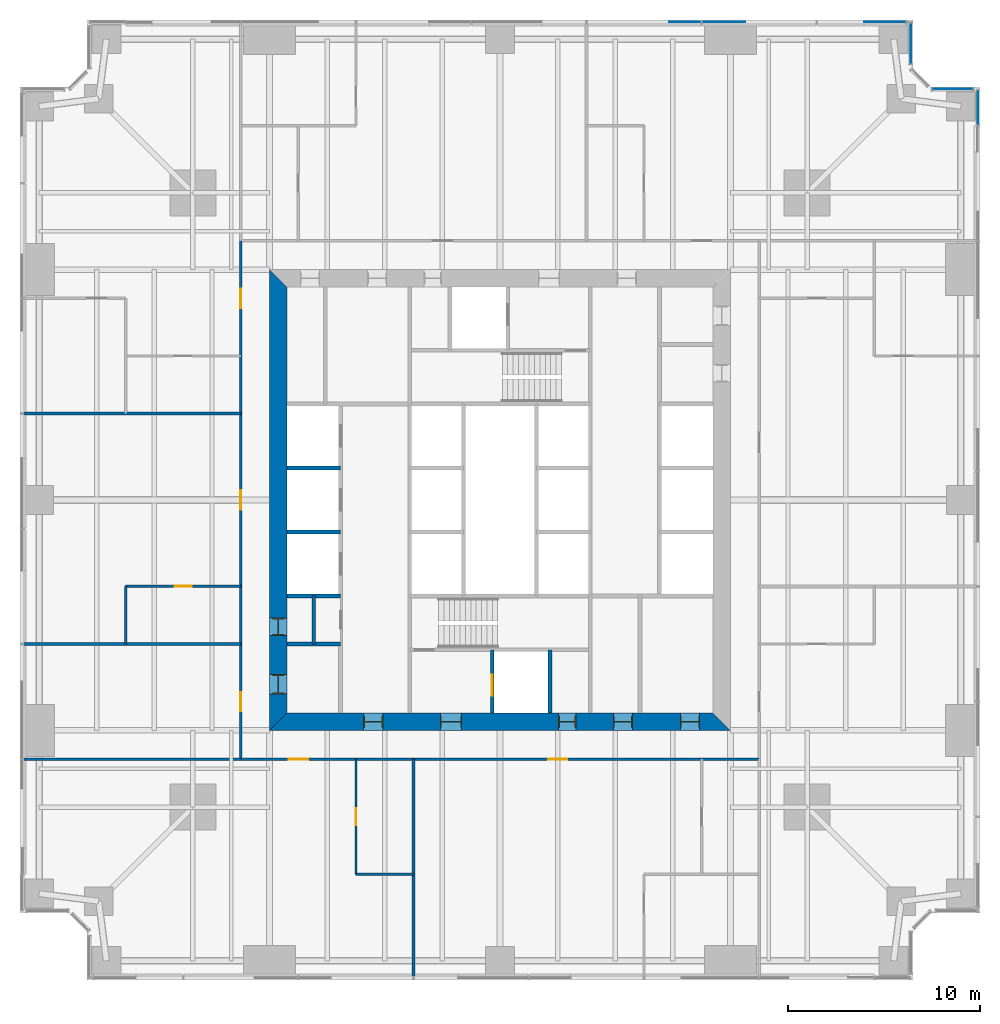
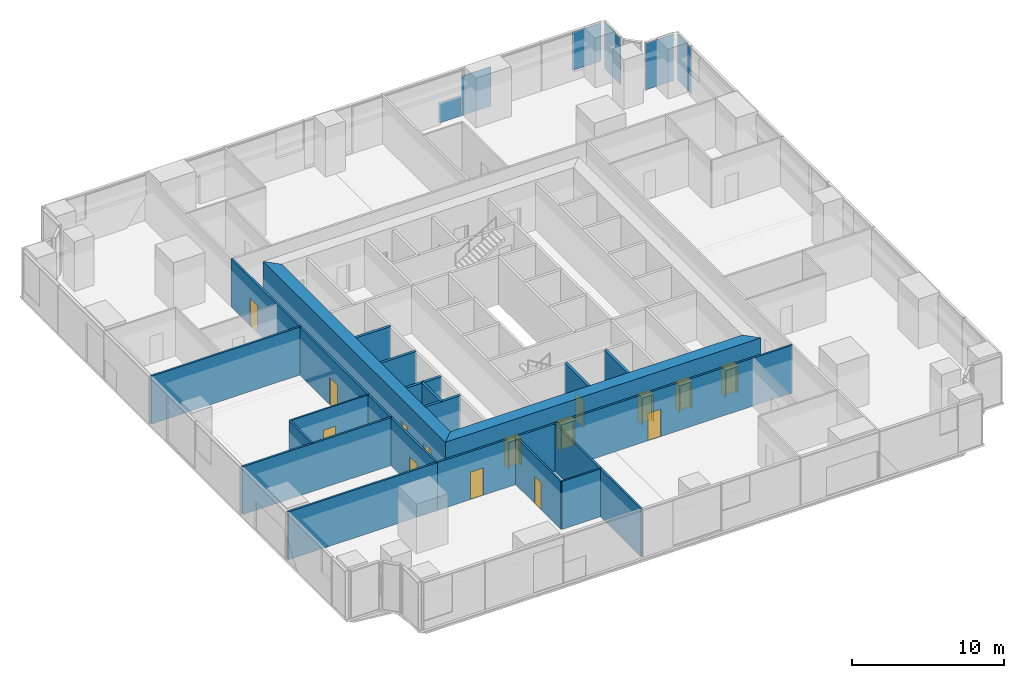
# One storey, part 9 of 13: 19 walls, 15 doors, 6 plates, 15 openings, 4 elements without a shape of their own.
"""IFC4 building model written with IfcOpenShell, lengths in metres."""

import ifcopenshell
import ifcopenshell.guid

model = None  # the IFC model being written
_history = None  # IfcOwnerHistory: only IFC2X3 demands one
_inside = {}  # id of a spatial element -> (the spatial element, [elements in it])
_under = {}  # id of a project, library or spatial element -> (it, [spatial elements below it])
_declared = {}  # id of a project -> (the project, [libraries it declares])
_typed = {}  # id of a type object -> (the type object, [elements of that type])
_made_of = {}  # id of a material, layer set ... -> (it, [elements and type objects made of it])


def new_model(schema):
    """Start an empty IFC model of exactly this schema.

    Asked for "IFC4X3", IfcOpenShell would pick the latest addendum, in which some entities
    have other attributes; the version numbers below select the first issue.
    IFC2X3 requires an IfcOwnerHistory on every rooted entity: one is made here for all.
    """
    global model, _history
    if schema == "IFC4X3":
        model = ifcopenshell.file(schema_version=(4, 3, 0, 0))
    else:
        model = ifcopenshell.file(schema=schema)
    _inside.clear()
    _under.clear()
    _declared.clear()
    _typed.clear()
    _made_of.clear()
    _history = None
    if model.schema == "IFC2X3":
        org = make("IfcOrganization", Name="unknown")
        user = make(
            "IfcPersonAndOrganization",
            ThePerson=make("IfcPerson", FamilyName="unknown"),
            TheOrganization=org,
        )
        app = make(
            "IfcApplication",
            ApplicationDeveloper=org,
            Version="unknown",
            ApplicationFullName="unknown",
            ApplicationIdentifier="unknown",
        )
        _history = make(
            "IfcOwnerHistory",
            OwningUser=user,
            OwningApplication=app,
            ChangeAction="ADDED",
            CreationDate=0,
        )
    return model


def make(cls, **values):
    """One entity of the class cls with the attributes given. An attribute that is None is left unset."""
    return model.create_entity(
        cls, **{name: value for name, value in values.items() if value is not None}
    )


def rooted(cls, **values):
    """An entity with a GlobalId (a new one), such as an element, a storey or a relation."""
    return make(cls, GlobalId=ifcopenshell.guid.new(), OwnerHistory=_history, **values)


def si_unit(unit_type, name, prefix=None):
    """IfcSIUnit, for example si_unit("LENGTHUNIT", "METRE", prefix="MILLI")."""
    return make("IfcSIUnit", UnitType=unit_type, Prefix=prefix, Name=name)


def assignment(units):
    """IfcUnitAssignment: the units of a project."""
    return None if units is None else make("IfcUnitAssignment", Units=units)


def point(xyz):
    """IfcCartesianPoint."""
    return None if xyz is None else make("IfcCartesianPoint", Coordinates=xyz)


def direction(xyz):
    """IfcDirection."""
    return None if xyz is None else make("IfcDirection", DirectionRatios=xyz)


def frame(location, z_axis=None, x_axis=None):
    """IfcAxis2Placement3D, a coordinate frame: its origin and axes. An axis left out is left unset."""
    return make(
        "IfcAxis2Placement3D",
        Location=point(location),
        Axis=direction(z_axis),
        RefDirection=direction(x_axis),
    )


def frame_2d(location, x_axis=None):
    """IfcAxis2Placement2D, a coordinate frame in the plane: its origin and x axis."""
    return make(
        "IfcAxis2Placement2D", Location=point(location), RefDirection=direction(x_axis)
    )


def origin():
    """The frame at (0, 0, 0) with its axes left unset."""
    return frame((0.0, 0.0, 0.0))


def origin_2d():
    """The frame at (0, 0) in the plane with its x axis left unset."""
    return frame_2d((0.0, 0.0))


def place(relative_to, where):
    """IfcLocalPlacement: puts the frame where relative to a parent placement (None: the world)."""
    return make(
        "IfcLocalPlacement", PlacementRelTo=relative_to, RelativePlacement=where
    )


def context(
    kind, dimensions, precision=None, world=None, true_north=None, identifier=None
):
    """IfcGeometricRepresentationContext, for example the 3D "Model" context."""
    return make(
        "IfcGeometricRepresentationContext",
        ContextIdentifier=identifier,
        ContextType=kind,
        CoordinateSpaceDimension=dimensions,
        Precision=precision,
        WorldCoordinateSystem=world,
        TrueNorth=true_north,
    )


def subcontext(parent, identifier, kind, view, scale=None):
    """IfcGeometricRepresentationSubContext, for example "Body" below "Model"."""
    return make(
        "IfcGeometricRepresentationSubContext",
        ContextIdentifier=identifier,
        ContextType=kind,
        ParentContext=parent,
        TargetScale=scale,
        TargetView=view,
    )


def project(units=None, contexts=None):
    """IfcProject with its units and contexts."""
    return rooted(
        "IfcProject",
        Name="project",
        RepresentationContexts=contexts,
        UnitsInContext=assignment(units),
    )


def spatial(cls, under=None, at=None, **own):
    """A site, building, storey or space (cls), placed at a placement, below another one or the project."""
    s = rooted(cls, ObjectPlacement=at, **own)
    if under is not None:
        _under.setdefault(under.id(), (under, []))[1].append(s)
    return s


def polyline(points):
    """IfcPolyline through the points."""
    return make("IfcPolyline", Points=[point(p) for p in points])


def profile(cls, at=None, kind="AREA", **sizes):
    """A parametric profile (cls). Its sizes go by their IFC names, for example OverallWidth=200.0."""
    return make(cls, ProfileType=kind, Position=at, **sizes)


def rectangle(**sizes):
    """IfcRectangleProfileDef."""
    return profile("IfcRectangleProfileDef", **sizes)


def outline(outer, holes=None, kind="AREA"):
    """IfcArbitraryClosedProfileDef: a profile drawn as a closed curve; with holes, ...WithVoids."""
    if holes is None:
        return make("IfcArbitraryClosedProfileDef", ProfileType=kind, OuterCurve=outer)
    return make(
        "IfcArbitraryProfileDefWithVoids",
        ProfileType=kind,
        OuterCurve=outer,
        InnerCurves=holes,
    )


def extrude(swept, where, along, depth):
    """IfcExtrudedAreaSolid: the profile swept, set in the frame where, extruded along a direction by depth."""
    return make(
        "IfcExtrudedAreaSolid",
        SweptArea=swept,
        Position=where,
        ExtrudedDirection=direction(along),
        Depth=depth,
    )


def shape(context_of_items, identifier, shape_type, items):
    """IfcShapeRepresentation: the items that make up one representation, for example the "Body"."""
    return make(
        "IfcShapeRepresentation",
        ContextOfItems=context_of_items,
        RepresentationIdentifier=identifier,
        RepresentationType=shape_type,
        Items=items,
    )


def material(Name=None, Category=None):
    """IfcMaterial."""
    return make("IfcMaterial", Name=Name, Category=Category)


def layer(
    of_material, thickness, ventilated=None, Name=None, Category=None, Priority=None
):
    """IfcMaterialLayer: one layer of a wall or slab, of a material (None: an air gap)."""
    return make(
        "IfcMaterialLayer",
        Material=of_material,
        LayerThickness=thickness,
        IsVentilated=ventilated,
        Name=Name,
        Category=Category,
        Priority=Priority,
    )


def layer_set(layers, Name=None):
    """IfcMaterialLayerSet."""
    return make("IfcMaterialLayerSet", MaterialLayers=layers, LayerSetName=Name)


def made_of(thing, what):
    """Note that an element or type object is made of a material, layer set ...; save() writes the relation."""
    if what is not None:
        _made_of.setdefault(what.id(), (what, []))[1].append(thing)
    return thing


def type_object(cls, material=None, **own):
    """A type object (cls), such as IfcWallType, which elements share."""
    return made_of(rooted(cls, **own), material)


def element(
    cls,
    number,
    at=None,
    inside=None,
    cuts=None,
    type_object=None,
    material=None,
    context=None,
    identifier="Body",
    shape_type=None,
    held_by="IfcProductDefinitionShape",
    body=None,
    shapes=None,
    **own,
):
    """One element of the class cls, such as IfcWall. Its Tag is "e" and its number.

    at: its placement. inside: the storey or other place that contains it. cuts: it is an
    opening in that element (IfcRelVoidsElement). A single representation is given by context,
    identifier, shape_type and body (its items); several are given by shapes. held_by: the class
    of the entity that holds the representations. save() writes the other relations.
    """
    e = rooted(cls, Tag="e%d" % number, ObjectPlacement=at, **own)
    if body is not None:
        shapes = [shape(context, identifier, shape_type, body)]
    if shapes is not None:
        e.Representation = make(held_by, Representations=shapes)
    if inside is not None:
        _inside.setdefault(inside.id(), (inside, []))[1].append(e)
    if cuts is not None:
        rooted(
            "IfcRelVoidsElement", RelatingBuildingElement=cuts, RelatedOpeningElement=e
        )
    if type_object is not None:
        _typed.setdefault(type_object.id(), (type_object, []))[1].append(e)
    return made_of(e, material)


def fill(opening, filler):
    """IfcRelFillsElement: the door or window that sits in an opening."""
    return rooted(
        "IfcRelFillsElement",
        RelatingOpeningElement=opening,
        RelatedBuildingElement=filler,
    )


def aggregate(whole, parts):
    """IfcRelAggregates: a whole, such as a stair, and the parts it consists of."""
    return rooted("IfcRelAggregates", RelatingObject=whole, RelatedObjects=parts)


def save(model, path):
    """Write the relations noted so far, then the file.

    IfcRelAggregates (storeys below a building ...), IfcRelContainedInSpatialStructure (elements
    in a storey), IfcRelDefinesByType, IfcRelAssociatesMaterial and IfcRelDeclares: one each for
    every whole, place, type object, material and project.
    """
    for whole, parts in _under.values():
        aggregate(whole, parts)
    for where, things in _inside.values():
        rooted(
            "IfcRelContainedInSpatialStructure",
            RelatedElements=things,
            RelatingStructure=where,
        )
    for kind, things in _typed.values():
        rooted("IfcRelDefinesByType", RelatedObjects=things, RelatingType=kind)
    for what, things in _made_of.values():
        rooted("IfcRelAssociatesMaterial", RelatedObjects=things, RelatingMaterial=what)
    for by, libraries in _declared.values():
        rooted("IfcRelDeclares", RelatingContext=by, RelatedDefinitions=libraries)
    model.write(path)


model = new_model("IFC4")

# Units and contexts
model_context = context("Model", 3, precision=1e-05, world=origin(), true_north=direction((0.0, 1.0)))
body_context = subcontext(model_context, "Body", "Model", "MODEL_VIEW")
ifc_project = project(units=[si_unit("LENGTHUNIT", "METRE"), si_unit("AREAUNIT", "SQUARE_METRE"), si_unit("VOLUMEUNIT", "CUBIC_METRE"), si_unit("PLANEANGLEUNIT", "RADIAN"), si_unit("MASSUNIT", "GRAM", prefix="KILO")], contexts=[model_context])

# Site, building, storey
site_placement = place(None, origin())
site = spatial("IfcSite", under=ifc_project, at=site_placement, CompositionType="ELEMENT")
building_placement = place(site_placement, origin())
building = spatial("IfcBuilding", under=site, at=building_placement, Name="Fenwick Lantern Interchange", CompositionType="ELEMENT")
storey_placement = place(building_placement, frame((0.0, 0.0, 47.0)))
storey = spatial("IfcBuildingStorey", under=building, at=storey_placement, Name="L10", CompositionType="ELEMENT", Elevation=47.0)

# Curtain wall, plate
ifc_material_1 = material(Name="Aluminium curtain wall frame", Category="aluminium")
curtain_wall_type = type_object("IfcCurtainWallType", Name="OFFICE CURTAIN WALL", PredefinedType="USERDEFINED", material=ifc_material_1)
curtain_wall_1_placement = place(storey_placement, origin())
curtain_wall_1 = element("IfcCurtainWall", 1, at=curtain_wall_1_placement, inside=storey, type_object=curtain_wall_type, Name="Office curtain wall 05", ObjectType="OFFICE CURTAIN WALL", PredefinedType="USERDEFINED")
ifc_material_2 = material(Name="Vision glass, clear low-iron double glazed", Category="glass")
ifc_layer_1 = layer(ifc_material_2, 0.031982421875)
ifc_layer_set_1 = layer_set([ifc_layer_1], Name="OFFICE CURTAIN WALL PANEL 32")
plate_type = type_object("IfcPlateType", Name="OFFICE CURTAIN WALL PANEL 32", PredefinedType="CURTAIN_PANEL", material=ifc_layer_set_1)
plate_1_placement = place(storey_placement, frame((49.89990234375, 45.433837890625, 0.0), z_axis=(0.0, 0.0, 1.0), x_axis=(0.0, 1.0, 0.0)))
plate_1 = element("IfcPlate", 2, at=plate_1_placement, type_object=plate_type, Name="L10/CW/05/P07", PredefinedType="CURTAIN_PANEL", context=body_context, shape_type="SweptSolid", body=[
    extrude(rectangle(XDim=1.802490234375, YDim=0.031982421875, at=origin_2d()), origin(), (0.0, 0.0, 1.0), 3.75),
])
aggregate(curtain_wall_1, [plate_1])

curtain_wall_2_placement = place(storey_placement, origin())
curtain_wall_2 = element("IfcCurtainWall", 3, at=curtain_wall_2_placement, inside=storey, type_object=curtain_wall_type, Name="Office curtain wall 06", ObjectType="OFFICE CURTAIN WALL", PredefinedType="USERDEFINED")
plate_2_placement = place(storey_placement, frame((48.579345703125, 46.39990234375, 0.0), z_axis=(0.0, 0.0, 1.0), x_axis=(-1.0, 0.0, 0.0)))
plate_2 = element("IfcPlate", 4, at=plate_2_placement, type_object=plate_type, Name="L10/CW/06/P00", PredefinedType="CURTAIN_PANEL", context=body_context, shape_type="SweptSolid", body=[
    extrude(rectangle(XDim=2.111328125, YDim=0.031982421875, at=origin_2d()), origin(), (0.0, 0.0, 1.0), 3.75),
])
aggregate(curtain_wall_2, [plate_2])

curtain_wall_3_placement = place(storey_placement, origin())
curtain_wall_3 = element("IfcCurtainWall", 5, at=curtain_wall_3_placement, inside=storey, type_object=curtain_wall_type, Name="Office curtain wall 08", ObjectType="OFFICE CURTAIN WALL", PredefinedType="USERDEFINED")
plate_3_placement = place(storey_placement, frame((46.39990234375, 48.779296875, 0.0), z_axis=(0.0, 0.0, 1.0), x_axis=(0.0, 1.0, 0.0)))
plate_3 = element("IfcPlate", 6, at=plate_3_placement, type_object=plate_type, Name="L10/CW/08/P00", PredefinedType="CURTAIN_PANEL", context=body_context, shape_type="SweptSolid", body=[
    extrude(rectangle(XDim=2.111328125, YDim=0.031982421875, at=origin_2d()), origin(), (0.0, 0.0, 1.0), 3.75),
])
aggregate(curtain_wall_3, [plate_3])

# Curtain wall, plates
curtain_wall_4_placement = place(storey_placement, origin())
curtain_wall_4 = element("IfcCurtainWall", 7, at=curtain_wall_4_placement, inside=storey, type_object=curtain_wall_type, Name="Office curtain wall 09", ObjectType="OFFICE CURTAIN WALL", PredefinedType="USERDEFINED")
plate_4_placement = place(storey_placement, frame((46.39990234375, 49.89990234375, 0.68212890625), z_axis=(0.0, 0.0, 1.0), x_axis=(-1.0, 0.0, 0.0)))
plate_4 = element("IfcPlate", 8, at=plate_4_placement, type_object=plate_type, Name="L10/CW/09/P00a", PredefinedType="CURTAIN_PANEL", context=body_context, shape_type="SweptSolid", body=[
    extrude(outline(polyline([(0.264892578125, 0.0), (2.43994140625, 0.0), (2.43994140625, 3.06787109375), (0.264892578125, 3.06787109375), (0.264892578125, 0.0)])), frame((0.0, 0.01611328125, 0.0), z_axis=(0.0, -1.0, 0.0), x_axis=(1.0, 0.0, 0.0)), (0.0, 0.0, 1.0), 0.031982421875),
])
plate_5_placement = place(storey_placement, frame((46.39990234375, 49.89990234375, 0.0), z_axis=(0.0, 0.0, 1.0), x_axis=(-1.0, 0.0, 0.0)))
plate_5 = element("IfcPlate", 9, at=plate_5_placement, type_object=plate_type, Name="L10/CW/09/P01a", PredefinedType="CURTAIN_PANEL", context=body_context, shape_type="SweptSolid", body=[
    extrude(outline(polyline([(8.618408203125, 0.0), (10.867431640625, 0.0), (10.867431640625, 3.176513671875), (8.618408203125, 3.176513671875), (8.618408203125, 0.0)])), frame((0.0, 0.01611328125, 0.0), z_axis=(0.0, -1.0, 0.0), x_axis=(1.0, 0.0, 0.0)), (0.0, 0.0, 1.0), 0.031982421875),
])
plate_6_placement = place(storey_placement, frame((46.39990234375, 49.89990234375, 0.0), z_axis=(0.0, 0.0, 1.0), x_axis=(-1.0, 0.0, 0.0)))
plate_6 = element("IfcPlate", 10, at=plate_6_placement, type_object=plate_type, Name="L10/CW/09/P02a", PredefinedType="CURTAIN_PANEL", context=body_context, shape_type="SweptSolid", body=[
    extrude(outline(polyline([(10.9326171875, 0.0), (12.592529296875, 0.0), (12.592529296875, 1.656005859375), (10.9326171875, 1.656005859375), (10.9326171875, 0.0)])), frame((0.0, 0.01611328125, 0.0), z_axis=(0.0, -1.0, 0.0), x_axis=(1.0, 0.0, 0.0)), (0.0, 0.0, 1.0), 0.031982421875),
])
aggregate(curtain_wall_4, [plate_4, plate_5, plate_6])

# Walls
ifc_material_3 = material(Name="Concrete masonry ASTM C90 Grade N", Category="masonry")
ifc_layer_2 = layer(ifc_material_3, 0.199951171875)
ifc_layer_set_2 = layer_set([ifc_layer_2], Name="Concrete masonry ASTM C90 Grade N")
wall_type_1 = type_object("IfcWallType", Name="CORE PARTITION 200", PredefinedType="PARTITIONING", material=ifc_layer_set_2)
for number, where, z_axis, x_axis, name in (
    (11, (13.89990234375, 20.0, 0.0), (0.0, 0.0, 1.0), (1.0, 0.0, 0.0), "L10/W/CORES/c2"),
    (12, (13.89990234375, 23.333251953125, 0.0), (0.0, 0.0, 1.0), (1.0, 0.0, 0.0), "L10/W/CORES/d1"),
    (13, (13.89990234375, 26.666748046875, 0.0), (0.0, 0.0, 1.0), (1.0, 0.0, 0.0), "L10/W/CORES/d2"),
):
    element("IfcWall", number, at=place(storey_placement, frame(where, z_axis=z_axis, x_axis=x_axis)), inside=storey, type_object=wall_type_1, Name=name, PredefinedType="PARTITIONING", context=body_context, shape_type="SweptSolid", body=[
        extrude(rectangle(XDim=2.800048828125, YDim=0.199951171875, at=frame_2d((1.39990234375, 0.0))), origin(), (0.0, 0.0, 1.0), 3.800048828125),
    ])

# Wall, opening, door
wall_1_placement = place(storey_placement, frame((24.60009765625, 13.89990234375, 0.0), z_axis=(0.0, 0.0, 1.0), x_axis=(0.0, 1.0, 0.0)))
wall_1 = element("IfcWall", 14, at=wall_1_placement, inside=storey, type_object=wall_type_1, Name="L10/W/CORES/h1", PredefinedType="PARTITIONING", context=body_context, shape_type="SweptSolid", body=[
    extrude(rectangle(XDim=3.300048828125, YDim=0.199951171875, at=frame_2d((1.64990234375, 0.0))), origin(), (0.0, 0.0, 1.0), 3.800048828125),
])
opening_1_placement = place(wall_1_placement, frame((0.89990234375, 0.0, 0.0)))
opening_1 = element("IfcOpeningElement", 15, at=opening_1_placement, cuts=wall_1, Name="Opening LD-FL1", PredefinedType="OPENING", context=body_context, shape_type="SweptSolid", body=[
    extrude(rectangle(XDim=1.10009765625, YDim=2.199951171875, at=frame_2d((0.550048828125, 1.10009765625))), frame((0.0, 0.10986328125, 0.0), z_axis=(0.0, -1.0, 0.0), x_axis=(1.0, 0.0, 0.0)), (0.0, 0.0, 1.0), 0.219970703125),
])
ifc_material_4 = material(Name="Steel door and frame", Category="steel")
door_type_1 = type_object("IfcDoorType", Name="LIFT LANDING DOOR 1100 X 2200", OperationType="DOUBLE_DOOR_SLIDING", PredefinedType="DOOR", material=ifc_material_4)
door_1_placement = place(opening_1_placement, origin())
door_1 = element("IfcDoor", 16, at=door_1_placement, inside=storey, type_object=door_type_1, Name="Lift landing door FL1", OperationType="DOUBLE_DOOR_SLIDING", OverallHeight=2.199951171875, OverallWidth=1.10009765625, PredefinedType="DOOR", context=body_context, shape_type="SweptSolid", body=[
    extrude(rectangle(XDim=1.10009765625, YDim=2.199951171875, at=frame_2d((0.550048828125, 1.10009765625))), frame((0.0, 0.02490234375, 0.0), z_axis=(0.0, -1.0, 0.0), x_axis=(1.0, 0.0, 0.0)), (0.0, 0.0, 1.0), 0.050048828125),
])
fill(opening_1, door_1)

# Walls
wall_2_placement = place(storey_placement, frame((27.60009765625, 13.89990234375, 0.0), z_axis=(0.0, 0.0, 1.0), x_axis=(0.0, 1.0, 0.0)))
element("IfcWall", 17, at=wall_2_placement, inside=storey, type_object=wall_type_1, Name="L10/W/CORES/h2", PredefinedType="PARTITIONING", context=body_context, shape_type="SweptSolid", body=[
    extrude(rectangle(XDim=3.300048828125, YDim=0.199951171875, at=frame_2d((1.64990234375, 0.0))), origin(), (0.0, 0.0, 1.0), 3.800048828125),
])
wall_3_placement = place(storey_placement, frame((13.89990234375, 17.5, 0.0), z_axis=(0.0, 0.0, 1.0), x_axis=(1.0, 0.0, 0.0)))
element("IfcWall", 18, at=wall_3_placement, inside=storey, type_object=wall_type_1, Name="L10/W/CORES/p1", PredefinedType="PARTITIONING", context=body_context, shape_type="SweptSolid", body=[
    extrude(rectangle(XDim=2.800048828125, YDim=0.199951171875, at=frame_2d((1.39990234375, 0.0))), origin(), (0.0, 0.0, 1.0), 3.800048828125),
])
wall_4_placement = place(storey_placement, frame((15.300048828125, 17.5, 0.0), z_axis=(0.0, 0.0, 1.0), x_axis=(0.0, 1.0, 0.0)))
element("IfcWall", 19, at=wall_4_placement, inside=storey, type_object=wall_type_1, Name="L10/W/CORES/px", PredefinedType="PARTITIONING", context=body_context, shape_type="SweptSolid", body=[
    extrude(rectangle(XDim=2.5, YDim=0.199951171875, at=frame_2d((1.25, 0.0))), origin(), (0.0, 0.0, 1.0), 3.800048828125),
])

# Wall, openings, doors
ifc_material_5 = material(Name="Concrete f'c 70 MPa", Category="concrete")
ifc_layer_3 = layer(ifc_material_5, 0.89990234375)
ifc_layer_set_3 = layer_set([ifc_layer_3], Name="CORE WALL 900")
wall_type_2 = type_object("IfcWallType", Name="CORE WALL 900", PredefinedType="SHEAR", material=ifc_layer_set_3)
wall_5_placement = place(storey_placement, frame((13.0, 13.449951171875, 0.0), z_axis=(0.0, 0.0, 1.0), x_axis=(1.0, 0.0, 0.0)))
wall_5 = element("IfcWall", 20, at=wall_5_placement, inside=storey, type_object=wall_type_2, Name="L10/CORE/S", PredefinedType="SHEAR", context=body_context, shape_type="SweptSolid", body=[
    extrude(outline(polyline([(0.0, -0.449951171875), (24.0, -0.449951171875), (23.10009765625, 0.449951171875), (0.89990234375, 0.449951171875), (0.0, -0.449951171875)])), origin(), (0.0, 0.0, 1.0), 4.0),
])
opening_2_placement = place(wall_5_placement, frame((4.89990234375, 0.0, 0.0)))
opening_2 = element("IfcOpeningElement", 21, at=opening_2_placement, cuts=wall_5, Name="Opening L10-D001", PredefinedType="OPENING", context=body_context, shape_type="SweptSolid", body=[
    extrude(rectangle(XDim=1.0, YDim=2.199951171875, at=frame_2d((0.5, 1.10009765625))), frame((0.0, 0.4599609375, 0.0), z_axis=(0.0, -1.0, 0.0), x_axis=(1.0, 0.0, 0.0)), (0.0, 0.0, 1.0), 0.919921875),
])
opening_3_placement = place(wall_5_placement, frame((8.89990234375, 0.0, 0.0)))
opening_3 = element("IfcOpeningElement", 22, at=opening_3_placement, cuts=wall_5, Name="Opening L10-D002", PredefinedType="OPENING", context=body_context, shape_type="SweptSolid", body=[
    extrude(rectangle(XDim=1.10009765625, YDim=2.199951171875, at=frame_2d((0.550048828125, 1.10009765625))), frame((0.0, 0.4599609375, 0.0), z_axis=(0.0, -1.0, 0.0), x_axis=(1.0, 0.0, 0.0)), (0.0, 0.0, 1.0), 0.919921875),
])
opening_4_placement = place(wall_5_placement, frame((15.050048828125, 0.0, 0.0)))
opening_4 = element("IfcOpeningElement", 23, at=opening_4_placement, cuts=wall_5, Name="Opening L10-D004", PredefinedType="OPENING", context=body_context, shape_type="SweptSolid", body=[
    extrude(rectangle(XDim=0.89990234375, YDim=2.199951171875, at=frame_2d((0.449951171875, 1.10009765625))), frame((0.0, 0.4599609375, 0.0), z_axis=(0.0, -1.0, 0.0), x_axis=(1.0, 0.0, 0.0)), (0.0, 0.0, 1.0), 0.919921875),
])
opening_5_placement = place(wall_5_placement, frame((17.89990234375, 0.0, 0.0)))
opening_5 = element("IfcOpeningElement", 24, at=opening_5_placement, cuts=wall_5, Name="Opening L10-D005", PredefinedType="OPENING", context=body_context, shape_type="SweptSolid", body=[
    extrude(rectangle(XDim=1.0, YDim=2.199951171875, at=frame_2d((0.5, 1.10009765625))), frame((0.0, 0.4599609375, 0.0), z_axis=(0.0, -1.0, 0.0), x_axis=(1.0, 0.0, 0.0)), (0.0, 0.0, 1.0), 0.919921875),
])
opening_6_placement = place(wall_5_placement, frame((21.39990234375, 0.0, 0.0)))
opening_6 = element("IfcOpeningElement", 25, at=opening_6_placement, cuts=wall_5, Name="Opening L10-D006", PredefinedType="OPENING", context=body_context, shape_type="SweptSolid", body=[
    extrude(rectangle(XDim=1.0, YDim=2.199951171875, at=frame_2d((0.5, 1.10009765625))), frame((0.0, 0.4599609375, 0.0), z_axis=(0.0, -1.0, 0.0), x_axis=(1.0, 0.0, 0.0)), (0.0, 0.0, 1.0), 0.919921875),
])
door_type_2 = type_object("IfcDoorType", Name="CORE LOBBY DOOR 1000 X 2200", OperationType="SINGLE_SWING_LEFT", PredefinedType="DOOR", material=ifc_material_4)
door_2_placement = place(opening_2_placement, origin())
door_2 = element("IfcDoor", 26, at=door_2_placement, inside=storey, type_object=door_type_2, Name="Core lobby door", OperationType="SINGLE_SWING_LEFT", OverallHeight=2.199951171875, OverallWidth=1.0, PredefinedType="DOOR", context=body_context, shape_type="SweptSolid", body=[
    extrude(rectangle(XDim=1.0, YDim=2.199951171875, at=frame_2d((0.5, 1.10009765625))), frame((0.0, 0.02490234375, 0.0), z_axis=(0.0, -1.0, 0.0), x_axis=(1.0, 0.0, 0.0)), (0.0, 0.0, 1.0), 0.050048828125),
    extrude(outline(polyline([(0.0, 0.0), (0.0400390625, 0.0), (0.0400390625, 2.159912109375), (0.9599609375, 2.159912109375), (0.9599609375, 0.0), (1.0, 0.0), (1.0, 2.199951171875), (0.0, 2.199951171875), (0.0, 0.0)])), frame((0.0, 0.300048828125, 0.0), z_axis=(0.0, -1.0, 0.0), x_axis=(1.0, 0.0, 0.0)), (0.0, 0.0, 1.0), 0.60009765625),
])
fill(opening_2, door_2)
door_type_3 = type_object("IfcDoorType", Name="FIRE LOBBY DOOR 1100 X 2200", OperationType="SINGLE_SWING_LEFT", PredefinedType="DOOR", material=ifc_material_4)
door_3_placement = place(opening_3_placement, origin())
door_3 = element("IfcDoor", 27, at=door_3_placement, inside=storey, type_object=door_type_3, Name="Fire lobby door", OperationType="SINGLE_SWING_LEFT", OverallHeight=2.199951171875, OverallWidth=1.10009765625, PredefinedType="DOOR", context=body_context, shape_type="SweptSolid", body=[
    extrude(rectangle(XDim=1.10009765625, YDim=2.199951171875, at=frame_2d((0.550048828125, 1.10009765625))), frame((0.0, 0.02490234375, 0.0), z_axis=(0.0, -1.0, 0.0), x_axis=(1.0, 0.0, 0.0)), (0.0, 0.0, 1.0), 0.050048828125),
    extrude(outline(polyline([(0.0, 0.0), (0.0400390625, 0.0), (0.0400390625, 2.159912109375), (1.06005859375, 2.159912109375), (1.06005859375, 0.0), (1.10009765625, 0.0), (1.10009765625, 2.199951171875), (0.0, 2.199951171875), (0.0, 0.0)])), frame((0.0, 0.300048828125, 0.0), z_axis=(0.0, -1.0, 0.0), x_axis=(1.0, 0.0, 0.0)), (0.0, 0.0, 1.0), 0.60009765625),
])
fill(opening_3, door_3)
door_type_4 = type_object("IfcDoorType", Name="SERVICE DOOR 900 X 2200", OperationType="SINGLE_SWING_LEFT", PredefinedType="DOOR", material=ifc_material_4)
door_4_placement = place(opening_4_placement, origin())
door_4 = element("IfcDoor", 28, at=door_4_placement, inside=storey, type_object=door_type_4, Name="Service door", OperationType="SINGLE_SWING_LEFT", OverallHeight=2.199951171875, OverallWidth=0.89990234375, PredefinedType="DOOR", context=body_context, shape_type="SweptSolid", body=[
    extrude(rectangle(XDim=0.89990234375, YDim=2.199951171875, at=frame_2d((0.449951171875, 1.10009765625))), frame((0.0, 0.02490234375, 0.0), z_axis=(0.0, -1.0, 0.0), x_axis=(1.0, 0.0, 0.0)), (0.0, 0.0, 1.0), 0.050048828125),
    extrude(outline(polyline([(0.0, 0.0), (0.0400390625, 0.0), (0.0400390625, 2.159912109375), (0.85986328125, 2.159912109375), (0.85986328125, 0.0), (0.89990234375, 0.0), (0.89990234375, 2.199951171875), (0.0, 2.199951171875), (0.0, 0.0)])), frame((0.0, 0.300048828125, 0.0), z_axis=(0.0, -1.0, 0.0), x_axis=(1.0, 0.0, 0.0)), (0.0, 0.0, 1.0), 0.60009765625),
])
fill(opening_4, door_4)
ifc_material_6 = material(Name="Hardwood door and steel frame", Category="steel")
door_type_5 = type_object("IfcDoorType", Name="WC DOOR 1000 X 2200", OperationType="SINGLE_SWING_LEFT", PredefinedType="DOOR", material=ifc_material_6)
door_5_placement = place(opening_5_placement, origin())
door_5 = element("IfcDoor", 29, at=door_5_placement, inside=storey, type_object=door_type_5, Name="Wc door", OperationType="SINGLE_SWING_RIGHT", OverallHeight=2.199951171875, OverallWidth=1.0, PredefinedType="DOOR", context=body_context, shape_type="SweptSolid", body=[
    extrude(rectangle(XDim=1.0, YDim=2.199951171875, at=frame_2d((0.5, 1.10009765625))), frame((0.0, 0.02490234375, 0.0), z_axis=(0.0, -1.0, 0.0), x_axis=(1.0, 0.0, 0.0)), (0.0, 0.0, 1.0), 0.050048828125),
    extrude(outline(polyline([(0.0, 0.0), (0.0400390625, 0.0), (0.0400390625, 2.159912109375), (0.9599609375, 2.159912109375), (0.9599609375, 0.0), (1.0, 0.0), (1.0, 2.199951171875), (0.0, 2.199951171875), (0.0, 0.0)])), frame((0.0, 0.300048828125, 0.0), z_axis=(0.0, -1.0, 0.0), x_axis=(1.0, 0.0, 0.0)), (0.0, 0.0, 1.0), 0.60009765625),
])
fill(opening_5, door_5)
door_6_placement = place(opening_6_placement, origin())
door_6 = element("IfcDoor", 30, at=door_6_placement, inside=storey, type_object=door_type_5, Name="Wc door", OperationType="SINGLE_SWING_RIGHT", OverallHeight=2.199951171875, OverallWidth=1.0, PredefinedType="DOOR", context=body_context, shape_type="SweptSolid", body=[
    extrude(rectangle(XDim=1.0, YDim=2.199951171875, at=frame_2d((0.5, 1.10009765625))), frame((0.0, 0.02490234375, 0.0), z_axis=(0.0, -1.0, 0.0), x_axis=(1.0, 0.0, 0.0)), (0.0, 0.0, 1.0), 0.050048828125),
    extrude(outline(polyline([(0.0, 0.0), (0.0400390625, 0.0), (0.0400390625, 2.159912109375), (0.9599609375, 2.159912109375), (0.9599609375, 0.0), (1.0, 0.0), (1.0, 2.199951171875), (0.0, 2.199951171875), (0.0, 0.0)])), frame((0.0, 0.300048828125, 0.0), z_axis=(0.0, -1.0, 0.0), x_axis=(1.0, 0.0, 0.0)), (0.0, 0.0, 1.0), 0.60009765625),
])
fill(opening_6, door_6)

wall_6_placement = place(storey_placement, frame((13.449951171875, 36.10009765625, 0.0), z_axis=(0.0, 0.0, 1.0), x_axis=(0.0, -1.0, 0.0)))
wall_6 = element("IfcWall", 31, at=wall_6_placement, inside=storey, type_object=wall_type_2, Name="L10/CORE/W", PredefinedType="SHEAR", context=body_context, shape_type="SweptSolid", body=[
    extrude(outline(polyline([(-0.89990234375, -0.449951171875), (23.10009765625, -0.449951171875), (22.199951171875, 0.449951171875), (0.0, 0.449951171875), (-0.89990234375, -0.449951171875)])), origin(), (0.0, 0.0, 1.0), 4.0),
])
opening_7_placement = place(wall_6_placement, frame((20.199951171875, 0.0, 0.0)))
opening_7 = element("IfcOpeningElement", 32, at=opening_7_placement, cuts=wall_6, Name="Opening L10-D007", PredefinedType="OPENING", context=body_context, shape_type="SweptSolid", body=[
    extrude(rectangle(XDim=1.0, YDim=2.199951171875, at=frame_2d((0.5, 1.10009765625))), frame((0.0, 0.4599609375, 0.0), z_axis=(0.0, -1.0, 0.0), x_axis=(1.0, 0.0, 0.0)), (0.0, 0.0, 1.0), 0.919921875),
])
opening_8_placement = place(wall_6_placement, frame((17.25, 0.0, 0.0)))
opening_8 = element("IfcOpeningElement", 33, at=opening_8_placement, cuts=wall_6, Name="Opening L10-D009", PredefinedType="OPENING", context=body_context, shape_type="SweptSolid", body=[
    extrude(rectangle(XDim=0.89990234375, YDim=2.199951171875, at=frame_2d((0.449951171875, 1.10009765625))), frame((0.0, 0.4599609375, 0.0), z_axis=(0.0, -1.0, 0.0), x_axis=(1.0, 0.0, 0.0)), (0.0, 0.0, 1.0), 0.919921875),
])
door_7_placement = place(opening_8_placement, origin())
door_7 = element("IfcDoor", 34, at=door_7_placement, inside=storey, type_object=door_type_4, Name="Service door", OperationType="SINGLE_SWING_RIGHT", OverallHeight=2.199951171875, OverallWidth=0.89990234375, PredefinedType="DOOR", context=body_context, shape_type="SweptSolid", body=[
    extrude(rectangle(XDim=0.89990234375, YDim=2.199951171875, at=frame_2d((0.449951171875, 1.10009765625))), frame((0.0, 0.02490234375, 0.0), z_axis=(0.0, -1.0, 0.0), x_axis=(1.0, 0.0, 0.0)), (0.0, 0.0, 1.0), 0.050048828125),
    extrude(outline(polyline([(0.0, 0.0), (0.0400390625, 0.0), (0.0400390625, 2.159912109375), (0.85986328125, 2.159912109375), (0.85986328125, 0.0), (0.89990234375, 0.0), (0.89990234375, 2.199951171875), (0.0, 2.199951171875), (0.0, 0.0)])), frame((0.0, 0.300048828125, 0.0), z_axis=(0.0, -1.0, 0.0), x_axis=(1.0, 0.0, 0.0)), (0.0, 0.0, 1.0), 0.60009765625),
])
fill(opening_8, door_7)
door_8_placement = place(opening_7_placement, origin())
door_8 = element("IfcDoor", 35, at=door_8_placement, inside=storey, type_object=door_type_5, Name="Wc door", OperationType="SINGLE_SWING_RIGHT", OverallHeight=2.199951171875, OverallWidth=1.0, PredefinedType="DOOR", context=body_context, shape_type="SweptSolid", body=[
    extrude(rectangle(XDim=1.0, YDim=2.199951171875, at=frame_2d((0.5, 1.10009765625))), frame((0.0, 0.02490234375, 0.0), z_axis=(0.0, -1.0, 0.0), x_axis=(1.0, 0.0, 0.0)), (0.0, 0.0, 1.0), 0.050048828125),
    extrude(outline(polyline([(0.0, 0.0), (0.0400390625, 0.0), (0.0400390625, 2.159912109375), (0.9599609375, 2.159912109375), (0.9599609375, 0.0), (1.0, 0.0), (1.0, 2.199951171875), (0.0, 2.199951171875), (0.0, 0.0)])), frame((0.0, 0.300048828125, 0.0), z_axis=(0.0, -1.0, 0.0), x_axis=(1.0, 0.0, 0.0)), (0.0, 0.0, 1.0), 0.60009765625),
])
fill(opening_7, door_8)

ifc_material_7 = material(Name="Gypsum board on steel studs, 1 hour", Category="steel")
ifc_layer_4 = layer(ifc_material_7, 0.14990234375)
ifc_layer_set_4 = layer_set([ifc_layer_4], Name="CORRIDOR WALL 150")
wall_type_3 = type_object("IfcWallType", Name="CORRIDOR WALL 150", PredefinedType="PARTITIONING", material=ifc_layer_set_4)
wall_7_placement = place(storey_placement, frame((11.5, 11.5, 0.0), z_axis=(0.0, 0.0, 1.0), x_axis=(1.0, 0.0, 0.0)))
wall_7 = element("IfcWall", 36, at=wall_7_placement, inside=storey, type_object=wall_type_3, Name="L10/W/OFF/S/CW", PredefinedType="PARTITIONING", context=body_context, shape_type="SweptSolid", body=[
    extrude(rectangle(XDim=27.0, YDim=0.14990234375, at=frame_2d((13.5, 0.0))), origin(), (0.0, 0.0, 1.0), 3.85009765625),
])
opening_9_placement = place(wall_7_placement, frame((2.5, 0.0, 0.0)))
opening_9 = element("IfcOpeningElement", 37, at=opening_9_placement, cuts=wall_7, Name="Opening L10-D018", PredefinedType="OPENING", context=body_context, shape_type="SweptSolid", body=[
    extrude(rectangle(XDim=1.0, YDim=2.199951171875, at=frame_2d((0.5, 1.10009765625))), frame((0.0, 0.0849609375, 0.0), z_axis=(0.0, -1.0, 0.0), x_axis=(1.0, 0.0, 0.0)), (0.0, 0.0, 1.0), 0.169921875),
])
opening_10_placement = place(wall_7_placement, frame((16.0, 0.0, 0.0)))
opening_10 = element("IfcOpeningElement", 38, at=opening_10_placement, cuts=wall_7, Name="Opening L10-D020", PredefinedType="OPENING", context=body_context, shape_type="SweptSolid", body=[
    extrude(rectangle(XDim=1.0, YDim=2.199951171875, at=frame_2d((0.5, 1.10009765625))), frame((0.0, 0.0849609375, 0.0), z_axis=(0.0, -1.0, 0.0), x_axis=(1.0, 0.0, 0.0)), (0.0, 0.0, 1.0), 0.169921875),
])
door_type_6 = type_object("IfcDoorType", Name="SUITE ENTRANCE DOOR 1000 X 2200", OperationType="SINGLE_SWING_LEFT", PredefinedType="DOOR", material=ifc_material_4)
door_9_placement = place(opening_9_placement, frame((1.0, 0.0, 0.0), z_axis=(0.0, 0.0, 1.0), x_axis=(-1.0, 0.0, 0.0)))
door_9 = element("IfcDoor", 39, at=door_9_placement, inside=storey, type_object=door_type_6, Name="Suite entrance door", OperationType="SINGLE_SWING_LEFT", OverallHeight=2.199951171875, OverallWidth=1.0, PredefinedType="DOOR", context=body_context, shape_type="SweptSolid", body=[
    extrude(rectangle(XDim=1.0, YDim=2.199951171875, at=frame_2d((0.5, 1.10009765625))), frame((0.0, 0.02490234375, 0.0), z_axis=(0.0, -1.0, 0.0), x_axis=(1.0, 0.0, 0.0)), (0.0, 0.0, 1.0), 0.050048828125),
])
fill(opening_9, door_9)
door_10_placement = place(opening_10_placement, frame((1.0, 0.0, 0.0), z_axis=(0.0, 0.0, 1.0), x_axis=(-1.0, 0.0, 0.0)))
door_10 = element("IfcDoor", 40, at=door_10_placement, inside=storey, type_object=door_type_6, Name="Suite entrance door", OperationType="SINGLE_SWING_RIGHT", OverallHeight=2.199951171875, OverallWidth=1.0, PredefinedType="DOOR", context=body_context, shape_type="SweptSolid", body=[
    extrude(rectangle(XDim=1.0, YDim=2.199951171875, at=frame_2d((0.5, 1.10009765625))), frame((0.0, 0.02490234375, 0.0), z_axis=(0.0, -1.0, 0.0), x_axis=(1.0, 0.0, 0.0)), (0.0, 0.0, 1.0), 0.050048828125),
])
fill(opening_10, door_10)

wall_8_placement = place(storey_placement, frame((11.5, 38.5, 0.0), z_axis=(0.0, 0.0, 1.0), x_axis=(0.0, -1.0, 0.0)))
wall_8 = element("IfcWall", 41, at=wall_8_placement, inside=storey, type_object=wall_type_3, Name="L10/W/OFF/W/CW", PredefinedType="PARTITIONING", context=body_context, shape_type="SweptSolid", body=[
    extrude(rectangle(XDim=27.0, YDim=0.14990234375, at=frame_2d((13.5, 0.0))), origin(), (0.0, 0.0, 1.0), 3.85009765625),
])
opening_11_placement = place(wall_8_placement, frame((2.5, 0.0, 0.0)))
opening_11 = element("IfcOpeningElement", 42, at=opening_11_placement, cuts=wall_8, Name="Opening L10-D033", PredefinedType="OPENING", context=body_context, shape_type="SweptSolid", body=[
    extrude(rectangle(XDim=1.0, YDim=2.199951171875, at=frame_2d((0.5, 1.10009765625))), frame((0.0, 0.0849609375, 0.0), z_axis=(0.0, -1.0, 0.0), x_axis=(1.0, 0.0, 0.0)), (0.0, 0.0, 1.0), 0.169921875),
])
opening_12_placement = place(wall_8_placement, frame((13.0, 0.0, 0.0)))
opening_12 = element("IfcOpeningElement", 43, at=opening_12_placement, cuts=wall_8, Name="Opening L10-D036", PredefinedType="OPENING", context=body_context, shape_type="SweptSolid", body=[
    extrude(rectangle(XDim=1.0, YDim=2.199951171875, at=frame_2d((0.5, 1.10009765625))), frame((0.0, 0.0849609375, 0.0), z_axis=(0.0, -1.0, 0.0), x_axis=(1.0, 0.0, 0.0)), (0.0, 0.0, 1.0), 0.169921875),
])
opening_13_placement = place(wall_8_placement, frame((23.5, 0.0, 0.0)))
opening_13 = element("IfcOpeningElement", 44, at=opening_13_placement, cuts=wall_8, Name="Opening L10-D038", PredefinedType="OPENING", context=body_context, shape_type="SweptSolid", body=[
    extrude(rectangle(XDim=1.0, YDim=2.199951171875, at=frame_2d((0.5, 1.10009765625))), frame((0.0, 0.0849609375, 0.0), z_axis=(0.0, -1.0, 0.0), x_axis=(1.0, 0.0, 0.0)), (0.0, 0.0, 1.0), 0.169921875),
])
door_11_placement = place(opening_11_placement, frame((1.0, 0.0, 0.0), z_axis=(0.0, 0.0, 1.0), x_axis=(-1.0, 0.0, 0.0)))
door_11 = element("IfcDoor", 45, at=door_11_placement, inside=storey, type_object=door_type_6, Name="Suite entrance door", OperationType="SINGLE_SWING_LEFT", OverallHeight=2.199951171875, OverallWidth=1.0, PredefinedType="DOOR", context=body_context, shape_type="SweptSolid", body=[
    extrude(rectangle(XDim=1.0, YDim=2.199951171875, at=frame_2d((0.5, 1.10009765625))), frame((0.0, 0.02490234375, 0.0), z_axis=(0.0, -1.0, 0.0), x_axis=(1.0, 0.0, 0.0)), (0.0, 0.0, 1.0), 0.050048828125),
])
fill(opening_11, door_11)
door_12_placement = place(opening_12_placement, frame((1.0, 0.0, 0.0), z_axis=(0.0, 0.0, 1.0), x_axis=(-1.0, 0.0, 0.0)))
door_12 = element("IfcDoor", 46, at=door_12_placement, inside=storey, type_object=door_type_6, Name="Suite entrance door", OperationType="SINGLE_SWING_RIGHT", OverallHeight=2.199951171875, OverallWidth=1.0, PredefinedType="DOOR", context=body_context, shape_type="SweptSolid", body=[
    extrude(rectangle(XDim=1.0, YDim=2.199951171875, at=frame_2d((0.5, 1.10009765625))), frame((0.0, 0.02490234375, 0.0), z_axis=(0.0, -1.0, 0.0), x_axis=(1.0, 0.0, 0.0)), (0.0, 0.0, 1.0), 0.050048828125),
])
fill(opening_12, door_12)
door_13_placement = place(opening_13_placement, frame((1.0, 0.0, 0.0), z_axis=(0.0, 0.0, 1.0), x_axis=(-1.0, 0.0, 0.0)))
door_13 = element("IfcDoor", 47, at=door_13_placement, inside=storey, type_object=door_type_6, Name="Suite entrance door", OperationType="SINGLE_SWING_RIGHT", OverallHeight=2.199951171875, OverallWidth=1.0, PredefinedType="DOOR", context=body_context, shape_type="SweptSolid", body=[
    extrude(rectangle(XDim=1.0, YDim=2.199951171875, at=frame_2d((0.5, 1.10009765625))), frame((0.0, 0.02490234375, 0.0), z_axis=(0.0, -1.0, 0.0), x_axis=(1.0, 0.0, 0.0)), (0.0, 0.0, 1.0), 0.050048828125),
])
fill(opening_13, door_13)

# Wall, opening, door
ifc_material_8 = material(Name="Gypsum board on steel studs, acoustic", Category="steel")
ifc_layer_5 = layer(ifc_material_8, 0.125)
ifc_layer_set_5 = layer_set([ifc_layer_5], Name="OFFICE PARTITION 125")
wall_type_4 = type_object("IfcWallType", Name="OFFICE PARTITION 125", PredefinedType="PARTITIONING", material=ifc_layer_set_5)
wall_9_placement = place(storey_placement, frame((17.5, 5.5, 0.0), z_axis=(0.0, 0.0, 1.0), x_axis=(0.0, 1.0, 0.0)))
wall_9 = element("IfcWall", 48, at=wall_9_placement, inside=storey, type_object=wall_type_4, Name="L10/W/OFF/S/X175-1", PredefinedType="PARTITIONING", context=body_context, shape_type="SweptSolid", body=[
    extrude(rectangle(XDim=6.0, YDim=0.125, at=frame_2d((3.0, 0.0))), origin(), (0.0, 0.0, 1.0), 3.85009765625),
])
opening_14_placement = place(wall_9_placement, frame((2.550048828125, 0.0, 0.0)))
opening_14 = element("IfcOpeningElement", 49, at=opening_14_placement, cuts=wall_9, Name="Opening L10-D019", PredefinedType="OPENING", context=body_context, shape_type="SweptSolid", body=[
    extrude(rectangle(XDim=0.89990234375, YDim=2.199951171875, at=frame_2d((0.449951171875, 1.10009765625))), frame((0.0, 0.072509765625, 0.0), z_axis=(0.0, -1.0, 0.0), x_axis=(1.0, 0.0, 0.0)), (0.0, 0.0, 1.0), 0.14501953125),
])
door_type_7 = type_object("IfcDoorType", Name="OFFICE DOOR 900 X 2200", OperationType="SINGLE_SWING_LEFT", PredefinedType="DOOR", material=ifc_material_6)
door_14_placement = place(opening_14_placement, frame((0.89990234375, 0.0, 0.0), z_axis=(0.0, 0.0, 1.0), x_axis=(-1.0, 0.0, 0.0)))
door_14 = element("IfcDoor", 50, at=door_14_placement, inside=storey, type_object=door_type_7, Name="Office door", OperationType="SINGLE_SWING_RIGHT", OverallHeight=2.199951171875, OverallWidth=0.89990234375, PredefinedType="DOOR", context=body_context, shape_type="SweptSolid", body=[
    extrude(rectangle(XDim=0.89990234375, YDim=2.199951171875, at=frame_2d((0.449951171875, 1.10009765625))), frame((0.0, 0.02490234375, 0.0), z_axis=(0.0, -1.0, 0.0), x_axis=(1.0, 0.0, 0.0)), (0.0, 0.0, 1.0), 0.050048828125),
])
fill(opening_14, door_14)

# Wall
wall_10_placement = place(storey_placement, frame((17.5, 5.5, 0.0), z_axis=(0.0, 0.0, 1.0), x_axis=(1.0, 0.0, 0.0)))
element("IfcWall", 51, at=wall_10_placement, inside=storey, type_object=wall_type_4, Name="L10/W/OFF/S/Y55-1", PredefinedType="PARTITIONING", context=body_context, shape_type="SweptSolid", body=[
    extrude(rectangle(XDim=3.0, YDim=0.125, at=frame_2d((1.5, 0.0))), origin(), (0.0, 0.0, 1.0), 3.85009765625),
])

# Wall, opening, door
wall_11_placement = place(storey_placement, frame((5.5, 20.5, 0.0), z_axis=(0.0, 0.0, 1.0), x_axis=(1.0, 0.0, 0.0)))
wall_11 = element("IfcWall", 52, at=wall_11_placement, inside=storey, type_object=wall_type_4, Name="L10/W/OFF/W/X295-1", PredefinedType="PARTITIONING", context=body_context, shape_type="SweptSolid", body=[
    extrude(rectangle(XDim=6.0, YDim=0.125, at=frame_2d((3.0, 0.0))), origin(), (0.0, 0.0, 1.0), 3.85009765625),
])
opening_15_placement = place(wall_11_placement, frame((2.550048828125, 0.0, 0.0)))
opening_15 = element("IfcOpeningElement", 53, at=opening_15_placement, cuts=wall_11, Name="Opening L10-D037", PredefinedType="OPENING", context=body_context, shape_type="SweptSolid", body=[
    extrude(rectangle(XDim=0.89990234375, YDim=2.199951171875, at=frame_2d((0.449951171875, 1.10009765625))), frame((0.0, 0.072509765625, 0.0), z_axis=(0.0, -1.0, 0.0), x_axis=(1.0, 0.0, 0.0)), (0.0, 0.0, 1.0), 0.14501953125),
])
door_15_placement = place(opening_15_placement, frame((0.89990234375, 0.0, 0.0), z_axis=(0.0, 0.0, 1.0), x_axis=(-1.0, 0.0, 0.0)))
door_15 = element("IfcDoor", 54, at=door_15_placement, inside=storey, type_object=door_type_7, Name="Office door", OperationType="SINGLE_SWING_RIGHT", OverallHeight=2.199951171875, OverallWidth=0.89990234375, PredefinedType="DOOR", context=body_context, shape_type="SweptSolid", body=[
    extrude(rectangle(XDim=0.89990234375, YDim=2.199951171875, at=frame_2d((0.449951171875, 1.10009765625))), frame((0.0, 0.02490234375, 0.0), z_axis=(0.0, -1.0, 0.0), x_axis=(1.0, 0.0, 0.0)), (0.0, 0.0, 1.0), 0.050048828125),
])
fill(opening_15, door_15)

# Walls
wall_12_placement = place(storey_placement, frame((5.5, 20.5, 0.0), z_axis=(0.0, 0.0, 1.0), x_axis=(0.0, -1.0, 0.0)))
element("IfcWall", 55, at=wall_12_placement, inside=storey, type_object=wall_type_4, Name="L10/W/OFF/W/Y55-2", PredefinedType="PARTITIONING", context=body_context, shape_type="SweptSolid", body=[
    extrude(rectangle(XDim=3.0, YDim=0.125, at=frame_2d((1.5, 0.0))), origin(), (0.0, 0.0, 1.0), 3.85009765625),
])
ifc_material_9 = material(Name="Gypsum board on steel studs, 1 hour acoustic", Category="steel")
ifc_layer_6 = layer(ifc_material_9, 0.14990234375)
ifc_layer_set_6 = layer_set([ifc_layer_6], Name="TENANT WALL 150")
wall_type_5 = type_object("IfcWallType", Name="TENANT WALL 150", PredefinedType="PARTITIONING", material=ifc_layer_set_6)
for number, where, z_axis, x_axis, name in (
    (56, (0.14990234375, 11.5, 0.0), (0.0, 0.0, 1.0), (1.0, 0.0, 0.0), "L10/W/OFF/S/BACK"),
    (57, (20.5, 0.14990234375, 0.0), (0.0, 0.0, 1.0), (0.0, 1.0, 0.0), "L10/W/OFF/S/X205-1"),
    (58, (0.14990234375, 29.5, 0.0), (0.0, 0.0, 1.0), (1.0, 0.0, 0.0), "L10/W/OFF/W/X205-1"),
    (59, (0.14990234375, 17.5, 0.0), (0.0, 0.0, 1.0), (1.0, 0.0, 0.0), "L10/W/OFF/W/X325-1"),
):
    element("IfcWall", number, at=place(storey_placement, frame(where, z_axis=z_axis, x_axis=x_axis)), inside=storey, type_object=wall_type_5, Name=name, PredefinedType="PARTITIONING", context=body_context, shape_type="SweptSolid", body=[
        extrude(rectangle(XDim=11.35009765625, YDim=0.14990234375, at=frame_2d((5.675048828125, 0.0))), origin(), (0.0, 0.0, 1.0), 3.85009765625),
    ])

save(model, "model.ifc")
